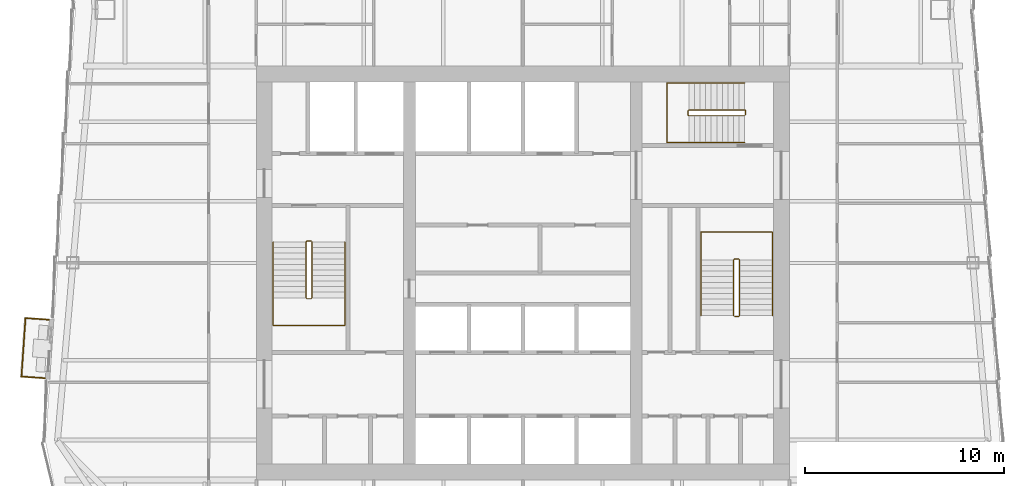
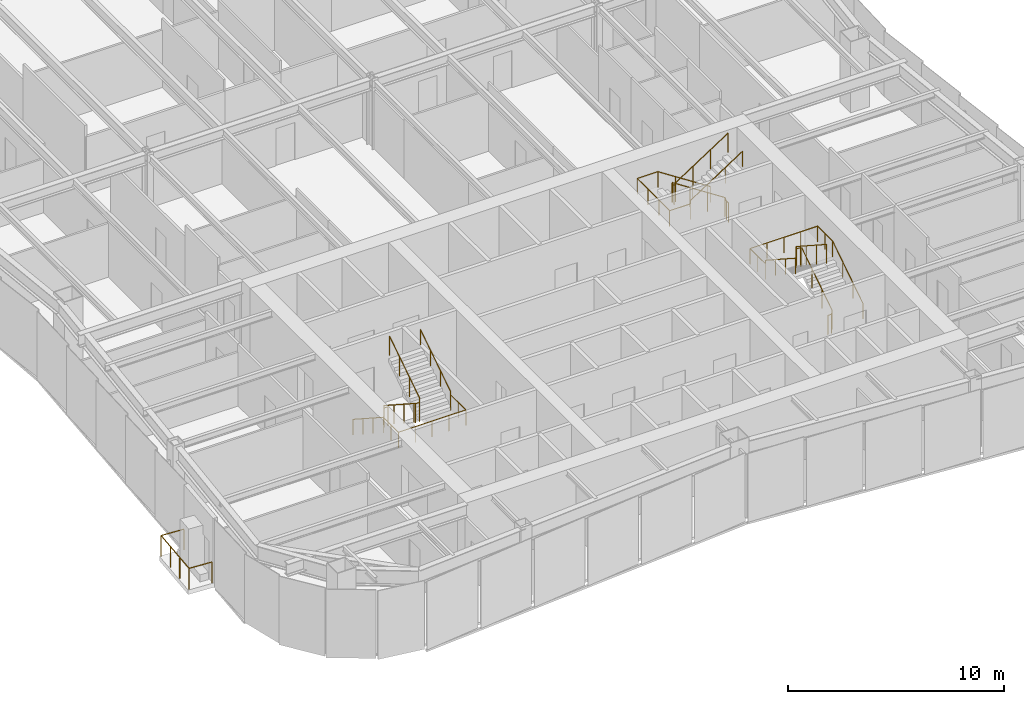
# One storey, part 11 of 12: 7 railings.
"""IFC4 building model written with IfcOpenShell, lengths in metres."""

import ifcopenshell
import ifcopenshell.guid

model = None  # the IFC model being written
_history = None  # IfcOwnerHistory: only IFC2X3 demands one
_inside = {}  # id of a spatial element -> (the spatial element, [elements in it])
_under = {}  # id of a project, library or spatial element -> (it, [spatial elements below it])
_declared = {}  # id of a project -> (the project, [libraries it declares])
_typed = {}  # id of a type object -> (the type object, [elements of that type])
_made_of = {}  # id of a material, layer set ... -> (it, [elements and type objects made of it])


def new_model(schema):
    """Start an empty IFC model of exactly this schema.

    Asked for "IFC4X3", IfcOpenShell would pick the latest addendum, in which some entities
    have other attributes; the version numbers below select the first issue.
    IFC2X3 requires an IfcOwnerHistory on every rooted entity: one is made here for all.
    """
    global model, _history
    if schema == "IFC4X3":
        model = ifcopenshell.file(schema_version=(4, 3, 0, 0))
    else:
        model = ifcopenshell.file(schema=schema)
    _inside.clear()
    _under.clear()
    _declared.clear()
    _typed.clear()
    _made_of.clear()
    _history = None
    if model.schema == "IFC2X3":
        org = make("IfcOrganization", Name="unknown")
        user = make(
            "IfcPersonAndOrganization",
            ThePerson=make("IfcPerson", FamilyName="unknown"),
            TheOrganization=org,
        )
        app = make(
            "IfcApplication",
            ApplicationDeveloper=org,
            Version="unknown",
            ApplicationFullName="unknown",
            ApplicationIdentifier="unknown",
        )
        _history = make(
            "IfcOwnerHistory",
            OwningUser=user,
            OwningApplication=app,
            ChangeAction="ADDED",
            CreationDate=0,
        )
    return model


def make(cls, **values):
    """One entity of the class cls with the attributes given. An attribute that is None is left unset."""
    return model.create_entity(
        cls, **{name: value for name, value in values.items() if value is not None}
    )


def rooted(cls, **values):
    """An entity with a GlobalId (a new one), such as an element, a storey or a relation."""
    return make(cls, GlobalId=ifcopenshell.guid.new(), OwnerHistory=_history, **values)


def si_unit(unit_type, name, prefix=None):
    """IfcSIUnit, for example si_unit("LENGTHUNIT", "METRE", prefix="MILLI")."""
    return make("IfcSIUnit", UnitType=unit_type, Prefix=prefix, Name=name)


def assignment(units):
    """IfcUnitAssignment: the units of a project."""
    return None if units is None else make("IfcUnitAssignment", Units=units)


def point(xyz):
    """IfcCartesianPoint."""
    return None if xyz is None else make("IfcCartesianPoint", Coordinates=xyz)


def direction(xyz):
    """IfcDirection."""
    return None if xyz is None else make("IfcDirection", DirectionRatios=xyz)


def frame(location, z_axis=None, x_axis=None):
    """IfcAxis2Placement3D, a coordinate frame: its origin and axes. An axis left out is left unset."""
    return make(
        "IfcAxis2Placement3D",
        Location=point(location),
        Axis=direction(z_axis),
        RefDirection=direction(x_axis),
    )


def frame_2d(location, x_axis=None):
    """IfcAxis2Placement2D, a coordinate frame in the plane: its origin and x axis."""
    return make(
        "IfcAxis2Placement2D", Location=point(location), RefDirection=direction(x_axis)
    )


def origin():
    """The frame at (0, 0, 0) with its axes left unset."""
    return frame((0.0, 0.0, 0.0))


def origin_2d():
    """The frame at (0, 0) in the plane with its x axis left unset."""
    return frame_2d((0.0, 0.0))


def place(relative_to, where):
    """IfcLocalPlacement: puts the frame where relative to a parent placement (None: the world)."""
    return make(
        "IfcLocalPlacement", PlacementRelTo=relative_to, RelativePlacement=where
    )


def context(
    kind, dimensions, precision=None, world=None, true_north=None, identifier=None
):
    """IfcGeometricRepresentationContext, for example the 3D "Model" context."""
    return make(
        "IfcGeometricRepresentationContext",
        ContextIdentifier=identifier,
        ContextType=kind,
        CoordinateSpaceDimension=dimensions,
        Precision=precision,
        WorldCoordinateSystem=world,
        TrueNorth=true_north,
    )


def subcontext(parent, identifier, kind, view, scale=None):
    """IfcGeometricRepresentationSubContext, for example "Body" below "Model"."""
    return make(
        "IfcGeometricRepresentationSubContext",
        ContextIdentifier=identifier,
        ContextType=kind,
        ParentContext=parent,
        TargetScale=scale,
        TargetView=view,
    )


def project(units=None, contexts=None):
    """IfcProject with its units and contexts."""
    return rooted(
        "IfcProject",
        Name="project",
        RepresentationContexts=contexts,
        UnitsInContext=assignment(units),
    )


def spatial(cls, under=None, at=None, **own):
    """A site, building, storey or space (cls), placed at a placement, below another one or the project."""
    s = rooted(cls, ObjectPlacement=at, **own)
    if under is not None:
        _under.setdefault(under.id(), (under, []))[1].append(s)
    return s


def profile(cls, at=None, kind="AREA", **sizes):
    """A parametric profile (cls). Its sizes go by their IFC names, for example OverallWidth=200.0."""
    return make(cls, ProfileType=kind, Position=at, **sizes)


def circle(**sizes):
    """IfcCircleProfileDef."""
    return profile("IfcCircleProfileDef", **sizes)


def extrude(swept, where, along, depth):
    """IfcExtrudedAreaSolid: the profile swept, set in the frame where, extruded along a direction by depth."""
    return make(
        "IfcExtrudedAreaSolid",
        SweptArea=swept,
        Position=where,
        ExtrudedDirection=direction(along),
        Depth=depth,
    )


def shape(context_of_items, identifier, shape_type, items):
    """IfcShapeRepresentation: the items that make up one representation, for example the "Body"."""
    return make(
        "IfcShapeRepresentation",
        ContextOfItems=context_of_items,
        RepresentationIdentifier=identifier,
        RepresentationType=shape_type,
        Items=items,
    )


def material(Name=None, Category=None):
    """IfcMaterial."""
    return make("IfcMaterial", Name=Name, Category=Category)


def made_of(thing, what):
    """Note that an element or type object is made of a material, layer set ...; save() writes the relation."""
    if what is not None:
        _made_of.setdefault(what.id(), (what, []))[1].append(thing)
    return thing


def type_object(cls, material=None, **own):
    """A type object (cls), such as IfcWallType, which elements share."""
    return made_of(rooted(cls, **own), material)


def element(
    cls,
    number,
    at=None,
    inside=None,
    cuts=None,
    type_object=None,
    material=None,
    context=None,
    identifier="Body",
    shape_type=None,
    held_by="IfcProductDefinitionShape",
    body=None,
    shapes=None,
    **own,
):
    """One element of the class cls, such as IfcWall. Its Tag is "e" and its number.

    at: its placement. inside: the storey or other place that contains it. cuts: it is an
    opening in that element (IfcRelVoidsElement). A single representation is given by context,
    identifier, shape_type and body (its items); several are given by shapes. held_by: the class
    of the entity that holds the representations. save() writes the other relations.
    """
    e = rooted(cls, Tag="e%d" % number, ObjectPlacement=at, **own)
    if body is not None:
        shapes = [shape(context, identifier, shape_type, body)]
    if shapes is not None:
        e.Representation = make(held_by, Representations=shapes)
    if inside is not None:
        _inside.setdefault(inside.id(), (inside, []))[1].append(e)
    if cuts is not None:
        rooted(
            "IfcRelVoidsElement", RelatingBuildingElement=cuts, RelatedOpeningElement=e
        )
    if type_object is not None:
        _typed.setdefault(type_object.id(), (type_object, []))[1].append(e)
    return made_of(e, material)


def aggregate(whole, parts):
    """IfcRelAggregates: a whole, such as a stair, and the parts it consists of."""
    return rooted("IfcRelAggregates", RelatingObject=whole, RelatedObjects=parts)


def save(model, path):
    """Write the relations noted so far, then the file.

    IfcRelAggregates (storeys below a building ...), IfcRelContainedInSpatialStructure (elements
    in a storey), IfcRelDefinesByType, IfcRelAssociatesMaterial and IfcRelDeclares: one each for
    every whole, place, type object, material and project.
    """
    for whole, parts in _under.values():
        aggregate(whole, parts)
    for where, things in _inside.values():
        rooted(
            "IfcRelContainedInSpatialStructure",
            RelatedElements=things,
            RelatingStructure=where,
        )
    for kind, things in _typed.values():
        rooted("IfcRelDefinesByType", RelatedObjects=things, RelatingType=kind)
    for what, things in _made_of.values():
        rooted("IfcRelAssociatesMaterial", RelatedObjects=things, RelatingMaterial=what)
    for by, libraries in _declared.values():
        rooted("IfcRelDeclares", RelatingContext=by, RelatedDefinitions=libraries)
    model.write(path)


model = new_model("IFC4")

# Units and contexts
model_context = context("Model", 3, precision=1e-05, world=origin(), true_north=direction((0.0, 1.0)))
body_context = subcontext(model_context, "Body", "Model", "MODEL_VIEW")
ifc_project = project(units=[si_unit("LENGTHUNIT", "METRE"), si_unit("AREAUNIT", "SQUARE_METRE"), si_unit("VOLUMEUNIT", "CUBIC_METRE"), si_unit("PLANEANGLEUNIT", "RADIAN"), si_unit("MASSUNIT", "GRAM", prefix="KILO")], contexts=[model_context])

# Site, building, storey
site_placement = place(None, origin())
site = spatial("IfcSite", under=ifc_project, at=site_placement, CompositionType="ELEMENT")
building_placement = place(site_placement, origin())
building = spatial("IfcBuilding", under=site, at=building_placement, Name="Verdant Reach Tower", CompositionType="ELEMENT")
storey_placement = place(building_placement, frame((0.0, 0.0, 270.0)))
storey = spatial("IfcBuildingStorey", under=building, at=storey_placement, Name="L62", CompositionType="ELEMENT", Elevation=270.0)

# Railings
ifc_material_1 = material(Name="Stainless steel", Category="steel")
railing_type_1 = type_object("IfcRailingType", Name="CO-GUARD", PredefinedType="GUARDRAIL", material=ifc_material_1)
railing_1_placement = place(storey_placement, frame((-10.64990234375, 29.60009765625, 0.0)))
element("IfcRailing", 1, at=railing_1_placement, inside=storey, type_object=railing_type_1, Name="L62 ST-1 stair guard 1", PredefinedType="GUARDRAIL", context=body_context, shape_type="SweptSolid", body=[
    extrude(circle(Radius=0.02392578125, at=origin_2d()), frame((0.0, 0.0, 1.076171875), z_axis=(-1.0, 0.0, 0.0), x_axis=(0.0, -1.0, 0.0)), (0.0, 0.0, 1.0), 0.2001953125),
    extrude(circle(Radius=0.02392578125, at=origin_2d()), frame((-0.2001953125, 0.0, 1.076171875), z_axis=(-0.25526617399, -0.256517478764, 0.932222056972), x_axis=(0.708833529934, -0.705375805398, 0.0)), (0.0, 0.0, 1.0), 0.195068359375),
    extrude(circle(Radius=0.02392578125, at=origin_2d()), frame((-0.25, -0.050048828125, 1.2578125), z_axis=(0.0, -0.838705829183, 0.544584733623), x_axis=(1.0, 0.0, 0.0)), (0.0, 0.0, 1.0), 3.338623046875),
    extrude(circle(Radius=0.02392578125, at=origin_2d()), frame((-0.25, -2.85009765625, 3.076171875), z_axis=(0.705375805398, -0.708833529934, 0.0), x_axis=(0.708833529934, 0.705375805398, 0.0)), (0.0, 0.0, 1.0), 0.070556640625),
    extrude(circle(Radius=0.02392578125, at=origin_2d()), frame((-0.2001953125, -2.900146484375, 3.076171875), z_axis=(1.0, 0.0, 0.0), x_axis=(0.0, 1.0, 0.0)), (0.0, 0.0, 1.0), 0.2001953125),
    extrude(circle(Radius=0.02392578125, at=origin_2d()), frame((0.0, -2.900146484375, 3.076171875), z_axis=(0.25526617399, 0.256517478764, 0.932222056972), x_axis=(-0.708833529934, 0.705375805398, 0.0)), (0.0, 0.0, 1.0), 0.195068359375),
    extrude(circle(Radius=0.02392578125, at=origin_2d()), frame((0.0498046875, -2.85009765625, 3.2578125), z_axis=(0.0, 0.838705829183, 0.544584733623), x_axis=(-1.0, 0.0, 0.0)), (0.0, 0.0, 1.0), 3.338623046875),
    extrude(circle(Radius=0.02099609375, at=origin_2d()), origin(), (0.0, 0.0, 1.0), 1.052001953125),
    extrude(circle(Radius=0.02099609375, at=origin_2d()), frame((-0.2001953125, 0.0, 0.0)), (0.0, 0.0, 1.0), 1.052001953125),
    extrude(circle(Radius=0.02099609375, at=origin_2d()), frame((-0.25, -0.050048828125, 0.181884765625)), (0.0, 0.0, 1.0), 1.052001953125),
    extrude(circle(Radius=0.02099609375, at=origin_2d()), frame((-0.25, -0.9833984375, 0.787841796875)), (0.0, 0.0, 1.0), 1.052001953125),
    extrude(circle(Radius=0.02099609375, at=origin_2d()), frame((-0.25, -1.916748046875, 1.39404296875)), (0.0, 0.0, 1.0), 1.052001953125),
    extrude(circle(Radius=0.02099609375, at=origin_2d()), frame((-0.25, -2.85009765625, 2.0)), (0.0, 0.0, 1.0), 1.052001953125),
    extrude(circle(Radius=0.02099609375, at=origin_2d()), frame((-0.2001953125, -2.900146484375, 2.0)), (0.0, 0.0, 1.0), 1.052001953125),
    extrude(circle(Radius=0.02099609375, at=origin_2d()), frame((0.0, -2.900146484375, 2.0)), (0.0, 0.0, 1.0), 1.052001953125),
    extrude(circle(Radius=0.02099609375, at=origin_2d()), frame((0.0498046875, -2.85009765625, 2.181884765625)), (0.0, 0.0, 1.0), 1.052001953125),
    extrude(circle(Radius=0.02099609375, at=origin_2d()), frame((0.0498046875, -1.916748046875, 2.787841796875)), (0.0, 0.0, 1.0), 1.052001953125),
    extrude(circle(Radius=0.02099609375, at=origin_2d()), frame((0.0498046875, -0.9833984375, 3.39404296875)), (0.0, 0.0, 1.0), 1.052001953125),
    extrude(circle(Radius=0.02099609375, at=origin_2d()), frame((0.0498046875, -0.050048828125, 4.0)), (0.0, 0.0, 1.0), 1.052001953125),
])
railing_2_placement = place(storey_placement, frame((10.64990234375, 25.800048828125, 0.0)))
element("IfcRailing", 2, at=railing_2_placement, inside=storey, type_object=railing_type_1, Name="L62 ST-2 stair guard 1", PredefinedType="GUARDRAIL", context=body_context, shape_type="SweptSolid", body=[
    extrude(circle(Radius=0.02392578125, at=origin_2d()), frame((0.0, 0.0, 1.076171875), z_axis=(1.0, 0.0, 0.0), x_axis=(0.0, 1.0, 0.0)), (0.0, 0.0, 1.0), 0.2001953125),
    extrude(circle(Radius=0.02392578125, at=origin_2d()), frame((0.2001953125, 0.0, 1.076171875), z_axis=(0.25526617399, 0.256517478764, 0.932222056972), x_axis=(-0.708833529934, 0.705375805398, 0.0)), (0.0, 0.0, 1.0), 0.195068359375),
    extrude(circle(Radius=0.02392578125, at=origin_2d()), frame((0.25, 0.050048828125, 1.2578125), z_axis=(0.0, 0.83868413941, 0.544618136222), x_axis=(-1.0, 0.0, 0.0)), (0.0, 0.0, 1.0), 3.33837890625),
    extrude(circle(Radius=0.02392578125, at=origin_2d()), frame((0.25, 2.849853515625, 3.076171875), z_axis=(-0.705375805398, 0.708833529934, 0.0), x_axis=(-0.708833529934, -0.705375805398, 0.0)), (0.0, 0.0, 1.0), 0.070556640625),
    extrude(circle(Radius=0.02392578125, at=origin_2d()), frame((0.2001953125, 2.89990234375, 3.076171875), z_axis=(-1.0, 0.0, 0.0), x_axis=(0.0, -1.0, 0.0)), (0.0, 0.0, 1.0), 0.2001953125),
    extrude(circle(Radius=0.02392578125, at=origin_2d()), frame((0.0, 2.89990234375, 3.076171875), z_axis=(-0.25526617399, -0.256517478764, 0.932222056972), x_axis=(0.708833529934, -0.705375805398, 0.0)), (0.0, 0.0, 1.0), 0.195068359375),
    extrude(circle(Radius=0.02392578125, at=origin_2d()), frame((-0.0498046875, 2.849853515625, 3.2578125), z_axis=(0.0, -0.83868413941, 0.544618136222), x_axis=(1.0, 0.0, 0.0)), (0.0, 0.0, 1.0), 3.33837890625),
    extrude(circle(Radius=0.02099609375, at=origin_2d()), origin(), (0.0, 0.0, 1.0), 1.052001953125),
    extrude(circle(Radius=0.02099609375, at=origin_2d()), frame((0.2001953125, 0.0, 0.0)), (0.0, 0.0, 1.0), 1.052001953125),
    extrude(circle(Radius=0.02099609375, at=origin_2d()), frame((0.25, 0.050048828125, 0.181884765625)), (0.0, 0.0, 1.0), 1.052001953125),
    extrude(circle(Radius=0.02099609375, at=origin_2d()), frame((0.25, 0.9833984375, 0.787841796875)), (0.0, 0.0, 1.0), 1.052001953125),
    extrude(circle(Radius=0.02099609375, at=origin_2d()), frame((0.25, 1.91650390625, 1.39404296875)), (0.0, 0.0, 1.0), 1.052001953125),
    extrude(circle(Radius=0.02099609375, at=origin_2d()), frame((0.25, 2.849853515625, 2.0)), (0.0, 0.0, 1.0), 1.052001953125),
    extrude(circle(Radius=0.02099609375, at=origin_2d()), frame((0.2001953125, 2.89990234375, 2.0)), (0.0, 0.0, 1.0), 1.052001953125),
    extrude(circle(Radius=0.02099609375, at=origin_2d()), frame((0.0, 2.89990234375, 2.0)), (0.0, 0.0, 1.0), 1.052001953125),
    extrude(circle(Radius=0.02099609375, at=origin_2d()), frame((-0.0498046875, 2.849853515625, 2.181884765625)), (0.0, 0.0, 1.0), 1.052001953125),
    extrude(circle(Radius=0.02099609375, at=origin_2d()), frame((-0.0498046875, 1.91650390625, 2.787841796875)), (0.0, 0.0, 1.0), 1.052001953125),
    extrude(circle(Radius=0.02099609375, at=origin_2d()), frame((-0.0498046875, 0.9833984375, 3.39404296875)), (0.0, 0.0, 1.0), 1.052001953125),
    extrude(circle(Radius=0.02099609375, at=origin_2d()), frame((-0.0498046875, 0.050048828125, 4.0)), (0.0, 0.0, 1.0), 1.052001953125),
])
railing_3_placement = place(storey_placement, frame((11.199951171875, 35.949951171875, 0.0)))
element("IfcRailing", 3, at=railing_3_placement, inside=storey, type_object=railing_type_1, Name="L62 ST-3 stair guard 1", PredefinedType="GUARDRAIL", context=body_context, shape_type="SweptSolid", body=[
    extrude(circle(Radius=0.02392578125, at=origin_2d()), frame((0.0, 0.0, 1.076171875), z_axis=(0.0, 1.0, 0.0), x_axis=(-1.0, 0.0, 0.0)), (0.0, 0.0, 1.0), 0.199951171875),
    extrude(circle(Radius=0.02392578125, at=origin_2d()), frame((0.0, 0.199951171875, 1.076171875), z_axis=(-0.256435381639, 0.256435381639, 0.931923704005), x_axis=(-0.707106781187, -0.707106781187, 0.0)), (0.0, 0.0, 1.0), 0.195068359375),
    extrude(circle(Radius=0.02392578125, at=origin_2d()), frame((-0.050048828125, 0.25, 1.2578125), z_axis=(-0.83868413941, 0.0, 0.544618136222), x_axis=(0.0, -1.0, 0.0)), (0.0, 0.0, 1.0), 3.33837890625),
    extrude(circle(Radius=0.02392578125, at=origin_2d()), frame((-2.849853515625, 0.25, 3.076171875), z_axis=(-0.707106781187, -0.707106781187, 0.0), x_axis=(0.707106781187, -0.707106781187, 0.0)), (0.0, 0.0, 1.0), 0.07080078125),
    extrude(circle(Radius=0.02392578125, at=origin_2d()), frame((-2.89990234375, 0.199951171875, 3.076171875), z_axis=(0.0, -1.0, 0.0), x_axis=(1.0, 0.0, 0.0)), (0.0, 0.0, 1.0), 0.199951171875),
    extrude(circle(Radius=0.02392578125, at=origin_2d()), frame((-2.89990234375, 0.0, 3.076171875), z_axis=(0.256435381639, -0.256435381639, 0.931923704005), x_axis=(0.707106781187, 0.707106781187, 0.0)), (0.0, 0.0, 1.0), 0.195068359375),
    extrude(circle(Radius=0.02392578125, at=origin_2d()), frame((-2.849853515625, -0.050048828125, 3.2578125), z_axis=(0.83868413941, 0.0, 0.544618136222), x_axis=(0.0, 1.0, 0.0)), (0.0, 0.0, 1.0), 3.33837890625),
    extrude(circle(Radius=0.02099609375, at=origin_2d()), origin(), (0.0, 0.0, 1.0), 1.052001953125),
    extrude(circle(Radius=0.02099609375, at=origin_2d()), frame((0.0, 0.199951171875, 0.0)), (0.0, 0.0, 1.0), 1.052001953125),
    extrude(circle(Radius=0.02099609375, at=origin_2d()), frame((-0.050048828125, 0.25, 0.181884765625)), (0.0, 0.0, 1.0), 1.052001953125),
    extrude(circle(Radius=0.02099609375, at=origin_2d()), frame((-0.9833984375, 0.25, 0.787841796875)), (0.0, 0.0, 1.0), 1.052001953125),
    extrude(circle(Radius=0.02099609375, at=origin_2d()), frame((-1.91650390625, 0.25, 1.39404296875)), (0.0, 0.0, 1.0), 1.052001953125),
    extrude(circle(Radius=0.02099609375, at=origin_2d()), frame((-2.849853515625, 0.25, 2.0)), (0.0, 0.0, 1.0), 1.052001953125),
    extrude(circle(Radius=0.02099609375, at=origin_2d()), frame((-2.89990234375, 0.199951171875, 2.0)), (0.0, 0.0, 1.0), 1.052001953125),
    extrude(circle(Radius=0.02099609375, at=origin_2d()), frame((-2.89990234375, 0.0, 2.0)), (0.0, 0.0, 1.0), 1.052001953125),
    extrude(circle(Radius=0.02099609375, at=origin_2d()), frame((-2.849853515625, -0.050048828125, 2.181884765625)), (0.0, 0.0, 1.0), 1.052001953125),
    extrude(circle(Radius=0.02099609375, at=origin_2d()), frame((-1.91650390625, -0.050048828125, 2.787841796875)), (0.0, 0.0, 1.0), 1.052001953125),
    extrude(circle(Radius=0.02099609375, at=origin_2d()), frame((-0.9833984375, -0.050048828125, 3.39404296875)), (0.0, 0.0, 1.0), 1.052001953125),
    extrude(circle(Radius=0.02099609375, at=origin_2d()), frame((-0.050048828125, -0.050048828125, 4.0)), (0.0, 0.0, 1.0), 1.052001953125),
])
railing_type_2 = type_object("IfcRailingType", Name="CO-HANDRAIL", PredefinedType="HANDRAIL", material=ifc_material_1)
railing_4_placement = place(storey_placement, frame((-12.550048828125, 29.550048828125, 0.181884765625)))
element("IfcRailing", 4, at=railing_4_placement, inside=storey, type_object=railing_type_2, Name="L62 ST-1 stair handrail 1", PredefinedType="HANDRAIL", context=body_context, shape_type="SweptSolid", body=[
    extrude(circle(Radius=0.02392578125, at=origin_2d()), frame((0.0, 0.0, 0.8759765625), z_axis=(0.0, -0.838705829183, 0.544584733623), x_axis=(1.0, 0.0, 0.0)), (0.0, 0.0, 1.0), 3.338623046875),
    extrude(circle(Radius=0.02392578125, at=origin_2d()), frame((0.0, -2.800048828125, 2.69384765625), z_axis=(0.0, -1.0, 0.0), x_axis=(1.0, 0.0, 0.0)), (0.0, 0.0, 1.0), 1.39990234375),
    extrude(circle(Radius=0.02392578125, at=origin_2d()), frame((0.0, -4.199951171875, 2.69384765625), z_axis=(1.0, 0.0, 0.0), x_axis=(0.0, 1.0, 0.0)), (0.0, 0.0, 1.0), 3.60009765625),
    extrude(circle(Radius=0.02392578125, at=origin_2d()), frame((3.60009765625, -4.199951171875, 2.69384765625), z_axis=(0.0, 1.0, 0.0), x_axis=(-1.0, 0.0, 0.0)), (0.0, 0.0, 1.0), 1.39990234375),
    extrude(circle(Radius=0.02392578125, at=origin_2d()), frame((3.60009765625, -2.800048828125, 2.69384765625), z_axis=(0.0, 0.0, 1.0), x_axis=(1.0, 0.0, 0.0)), (0.0, 0.0, 1.0), 0.181884765625),
    extrude(circle(Radius=0.02392578125, at=origin_2d()), frame((3.60009765625, -2.800048828125, 2.8759765625), z_axis=(0.0, 0.838705829183, 0.544584733623), x_axis=(-1.0, 0.0, 0.0)), (0.0, 0.0, 1.0), 3.338623046875),
    extrude(circle(Radius=0.02099609375, at=origin_2d()), origin(), (0.0, 0.0, 1.0), 0.851806640625),
    extrude(circle(Radius=0.02099609375, at=origin_2d()), frame((0.0, -0.933349609375, 0.60595703125)), (0.0, 0.0, 1.0), 0.851806640625),
    extrude(circle(Radius=0.02099609375, at=origin_2d()), frame((0.0, -1.86669921875, 1.212158203125)), (0.0, 0.0, 1.0), 0.851806640625),
    extrude(circle(Radius=0.02099609375, at=origin_2d()), frame((0.0, -2.800048828125, 1.818115234375)), (0.0, 0.0, 1.0), 0.851806640625),
    extrude(circle(Radius=0.02099609375, at=origin_2d()), frame((0.0, -3.5, 1.818115234375)), (0.0, 0.0, 1.0), 0.851806640625),
    extrude(circle(Radius=0.02099609375, at=origin_2d()), frame((0.0, -4.199951171875, 1.818115234375)), (0.0, 0.0, 1.0), 0.851806640625),
    extrude(circle(Radius=0.02099609375, at=origin_2d()), frame((0.89990234375, -4.199951171875, 1.818115234375)), (0.0, 0.0, 1.0), 0.851806640625),
    extrude(circle(Radius=0.02099609375, at=origin_2d()), frame((1.800048828125, -4.199951171875, 1.818115234375)), (0.0, 0.0, 1.0), 0.851806640625),
    extrude(circle(Radius=0.02099609375, at=origin_2d()), frame((2.7001953125, -4.199951171875, 1.818115234375)), (0.0, 0.0, 1.0), 0.851806640625),
    extrude(circle(Radius=0.02099609375, at=origin_2d()), frame((3.60009765625, -4.199951171875, 1.818115234375)), (0.0, 0.0, 1.0), 0.851806640625),
    extrude(circle(Radius=0.02099609375, at=origin_2d()), frame((3.60009765625, -3.5, 1.818115234375)), (0.0, 0.0, 1.0), 0.851806640625),
    extrude(circle(Radius=0.02099609375, at=origin_2d()), frame((3.60009765625, -2.800048828125, 1.818115234375)), (0.0, 0.0, 1.0), 0.851806640625),
    extrude(circle(Radius=0.02099609375, at=origin_2d()), frame((3.60009765625, -2.800048828125, 2.0)), (0.0, 0.0, 1.0), 0.851806640625),
    extrude(circle(Radius=0.02099609375, at=origin_2d()), frame((3.60009765625, -1.86669921875, 2.60595703125)), (0.0, 0.0, 1.0), 0.851806640625),
    extrude(circle(Radius=0.02099609375, at=origin_2d()), frame((3.60009765625, -0.933349609375, 3.212158203125)), (0.0, 0.0, 1.0), 0.851806640625),
    extrude(circle(Radius=0.02099609375, at=origin_2d()), frame((3.60009765625, 0.0, 3.818115234375)), (0.0, 0.0, 1.0), 0.851806640625),
])
railing_5_placement = place(storey_placement, frame((12.550048828125, 25.85009765625, 0.181884765625)))
element("IfcRailing", 5, at=railing_5_placement, inside=storey, type_object=railing_type_2, Name="L62 ST-2 stair handrail 1", PredefinedType="HANDRAIL", context=body_context, shape_type="SweptSolid", body=[
    extrude(circle(Radius=0.02392578125, at=origin_2d()), frame((0.0, 0.0, 0.8759765625), z_axis=(0.0, 0.83868413941, 0.544618136222), x_axis=(-1.0, 0.0, 0.0)), (0.0, 0.0, 1.0), 3.33837890625),
    extrude(circle(Radius=0.02392578125, at=origin_2d()), frame((0.0, 2.7998046875, 2.69384765625), z_axis=(0.0, 1.0, 0.0), x_axis=(-1.0, 0.0, 0.0)), (0.0, 0.0, 1.0), 1.400146484375),
    extrude(circle(Radius=0.02392578125, at=origin_2d()), frame((0.0, 4.199951171875, 2.69384765625), z_axis=(-1.0, 0.0, 0.0), x_axis=(0.0, -1.0, 0.0)), (0.0, 0.0, 1.0), 3.60009765625),
    extrude(circle(Radius=0.02392578125, at=origin_2d()), frame((-3.60009765625, 4.199951171875, 2.69384765625), z_axis=(0.0, -1.0, 0.0), x_axis=(1.0, 0.0, 0.0)), (0.0, 0.0, 1.0), 1.400146484375),
    extrude(circle(Radius=0.02392578125, at=origin_2d()), frame((-3.60009765625, 2.7998046875, 2.69384765625), z_axis=(0.0, 0.0, 1.0), x_axis=(1.0, 0.0, 0.0)), (0.0, 0.0, 1.0), 0.181884765625),
    extrude(circle(Radius=0.02392578125, at=origin_2d()), frame((-3.60009765625, 2.7998046875, 2.8759765625), z_axis=(0.0, -0.83868413941, 0.544618136222), x_axis=(1.0, 0.0, 0.0)), (0.0, 0.0, 1.0), 3.33837890625),
    extrude(circle(Radius=0.02099609375, at=origin_2d()), origin(), (0.0, 0.0, 1.0), 0.851806640625),
    extrude(circle(Radius=0.02099609375, at=origin_2d()), frame((0.0, 0.933349609375, 0.60595703125)), (0.0, 0.0, 1.0), 0.851806640625),
    extrude(circle(Radius=0.02099609375, at=origin_2d()), frame((0.0, 1.866455078125, 1.212158203125)), (0.0, 0.0, 1.0), 0.851806640625),
    extrude(circle(Radius=0.02099609375, at=origin_2d()), frame((0.0, 2.7998046875, 1.818115234375)), (0.0, 0.0, 1.0), 0.851806640625),
    extrude(circle(Radius=0.02099609375, at=origin_2d()), frame((0.0, 3.5, 1.818115234375)), (0.0, 0.0, 1.0), 0.851806640625),
    extrude(circle(Radius=0.02099609375, at=origin_2d()), frame((0.0, 4.199951171875, 1.818115234375)), (0.0, 0.0, 1.0), 0.851806640625),
    extrude(circle(Radius=0.02099609375, at=origin_2d()), frame((-0.89990234375, 4.199951171875, 1.818115234375)), (0.0, 0.0, 1.0), 0.851806640625),
    extrude(circle(Radius=0.02099609375, at=origin_2d()), frame((-1.800048828125, 4.199951171875, 1.818115234375)), (0.0, 0.0, 1.0), 0.851806640625),
    extrude(circle(Radius=0.02099609375, at=origin_2d()), frame((-2.7001953125, 4.199951171875, 1.818115234375)), (0.0, 0.0, 1.0), 0.851806640625),
    extrude(circle(Radius=0.02099609375, at=origin_2d()), frame((-3.60009765625, 4.199951171875, 1.818115234375)), (0.0, 0.0, 1.0), 0.851806640625),
    extrude(circle(Radius=0.02099609375, at=origin_2d()), frame((-3.60009765625, 3.5, 1.818115234375)), (0.0, 0.0, 1.0), 0.851806640625),
    extrude(circle(Radius=0.02099609375, at=origin_2d()), frame((-3.60009765625, 2.7998046875, 1.818115234375)), (0.0, 0.0, 1.0), 0.851806640625),
    extrude(circle(Radius=0.02099609375, at=origin_2d()), frame((-3.60009765625, 2.7998046875, 2.0)), (0.0, 0.0, 1.0), 0.851806640625),
    extrude(circle(Radius=0.02099609375, at=origin_2d()), frame((-3.60009765625, 1.866455078125, 2.60595703125)), (0.0, 0.0, 1.0), 0.851806640625),
    extrude(circle(Radius=0.02099609375, at=origin_2d()), frame((-3.60009765625, 0.933349609375, 3.212158203125)), (0.0, 0.0, 1.0), 0.851806640625),
    extrude(circle(Radius=0.02099609375, at=origin_2d()), frame((-3.60009765625, 0.0, 3.818115234375)), (0.0, 0.0, 1.0), 0.851806640625),
])
railing_6_placement = place(storey_placement, frame((11.14990234375, 37.550048828125, 0.181884765625)))
element("IfcRailing", 6, at=railing_6_placement, inside=storey, type_object=railing_type_2, Name="L62 ST-3 stair handrail 1", PredefinedType="HANDRAIL", context=body_context, shape_type="SweptSolid", body=[
    extrude(circle(Radius=0.02392578125, at=origin_2d()), frame((0.0, 0.0, 0.8759765625), z_axis=(-0.83868413941, 0.0, 0.544618136222), x_axis=(0.0, -1.0, 0.0)), (0.0, 0.0, 1.0), 3.33837890625),
    extrude(circle(Radius=0.02392578125, at=origin_2d()), frame((-2.7998046875, 0.0, 2.69384765625), z_axis=(-1.0, 0.0, 0.0), x_axis=(0.0, -1.0, 0.0)), (0.0, 0.0, 1.0), 1.10009765625),
    extrude(circle(Radius=0.02392578125, at=origin_2d()), frame((-3.89990234375, 0.0, 2.69384765625), z_axis=(0.0, -1.0, 0.0), x_axis=(1.0, 0.0, 0.0)), (0.0, 0.0, 1.0), 3.0),
    extrude(circle(Radius=0.02392578125, at=origin_2d()), frame((-3.89990234375, -3.0, 2.69384765625), z_axis=(1.0, 0.0, 0.0), x_axis=(0.0, 1.0, 0.0)), (0.0, 0.0, 1.0), 1.10009765625),
    extrude(circle(Radius=0.02392578125, at=origin_2d()), frame((-2.7998046875, -3.0, 2.69384765625), z_axis=(0.0, 0.0, 1.0), x_axis=(1.0, 0.0, 0.0)), (0.0, 0.0, 1.0), 0.181884765625),
    extrude(circle(Radius=0.02392578125, at=origin_2d()), frame((-2.7998046875, -3.0, 2.8759765625), z_axis=(0.83868413941, 0.0, 0.544618136222), x_axis=(0.0, 1.0, 0.0)), (0.0, 0.0, 1.0), 3.33837890625),
    extrude(circle(Radius=0.02099609375, at=origin_2d()), origin(), (0.0, 0.0, 1.0), 0.851806640625),
    extrude(circle(Radius=0.02099609375, at=origin_2d()), frame((-0.933349609375, 0.0, 0.60595703125)), (0.0, 0.0, 1.0), 0.851806640625),
    extrude(circle(Radius=0.02099609375, at=origin_2d()), frame((-1.866455078125, 0.0, 1.212158203125)), (0.0, 0.0, 1.0), 0.851806640625),
    extrude(circle(Radius=0.02099609375, at=origin_2d()), frame((-2.7998046875, 0.0, 1.818115234375)), (0.0, 0.0, 1.0), 0.851806640625),
    extrude(circle(Radius=0.02099609375, at=origin_2d()), frame((-3.89990234375, 0.0, 1.818115234375)), (0.0, 0.0, 1.0), 0.851806640625),
    extrude(circle(Radius=0.02099609375, at=origin_2d()), frame((-3.89990234375, -1.0, 1.818115234375)), (0.0, 0.0, 1.0), 0.851806640625),
    extrude(circle(Radius=0.02099609375, at=origin_2d()), frame((-3.89990234375, -2.0, 1.818115234375)), (0.0, 0.0, 1.0), 0.851806640625),
    extrude(circle(Radius=0.02099609375, at=origin_2d()), frame((-3.89990234375, -3.0, 1.818115234375)), (0.0, 0.0, 1.0), 0.851806640625),
    extrude(circle(Radius=0.02099609375, at=origin_2d()), frame((-2.7998046875, -3.0, 1.818115234375)), (0.0, 0.0, 1.0), 0.851806640625),
    extrude(circle(Radius=0.02099609375, at=origin_2d()), frame((-2.7998046875, -3.0, 2.0)), (0.0, 0.0, 1.0), 0.851806640625),
    extrude(circle(Radius=0.02099609375, at=origin_2d()), frame((-1.866455078125, -3.0, 2.60595703125)), (0.0, 0.0, 1.0), 0.851806640625),
    extrude(circle(Radius=0.02099609375, at=origin_2d()), frame((-0.933349609375, -3.0, 3.212158203125)), (0.0, 0.0, 1.0), 0.851806640625),
    extrude(circle(Radius=0.02099609375, at=origin_2d()), frame((0.0, -3.0, 3.818115234375)), (0.0, 0.0, 1.0), 0.851806640625),
])
ifc_material_2 = material(Name="Stainless steel and laminated glass balustrade", Category="steel")
railing_type_3 = type_object("IfcRailingType", Name="EN-RAILING BALCONY", PredefinedType="GUARDRAIL", material=ifc_material_2)
railing_7_placement = place(storey_placement, frame((-23.83056640625, 25.64794921875, 0.0)))
element("IfcRailing", 7, at=railing_7_placement, inside=storey, type_object=railing_type_3, Name="Balcony guard 1, L62", PredefinedType="GUARDRAIL", context=body_context, shape_type="SweptSolid", body=[
    extrude(circle(Radius=0.02490234375, at=origin_2d()), frame((0.0, 0.0, 1.1748046875), z_axis=(-0.997636711247, 0.068709478032, 0.0), x_axis=(-0.068709478032, -0.997636711247, 0.0)), (0.0, 0.0, 1.0), 1.176025390625),
    extrude(circle(Radius=0.02490234375, at=origin_2d()), frame((-1.17333984375, 0.080810546875, 1.1748046875), z_axis=(-0.068773654488, -0.997632289197, 0.0), x_axis=(0.997632289197, -0.068773654488, 0.0)), (0.0, 0.0, 1.0), 2.946533203125),
    extrude(circle(Radius=0.02490234375, at=origin_2d()), frame((-1.3759765625, -2.858642578125, 1.1748046875), z_axis=(0.997635730952, -0.068723710082, 0.0), x_axis=(0.068723710082, 0.997635730952, 0.0)), (0.0, 0.0, 1.0), 1.17578125),
    extrude(circle(Radius=0.02490234375, at=origin_2d()), origin(), (0.0, 0.0, 1.0), 1.14990234375),
    extrude(circle(Radius=0.02490234375, at=origin_2d()), frame((-1.17333984375, 0.080810546875, 0.0)), (0.0, 0.0, 1.0), 1.14990234375),
    extrude(circle(Radius=0.02490234375, at=origin_2d()), frame((-1.240966796875, -0.89892578125, 0.0)), (0.0, 0.0, 1.0), 1.14990234375),
    extrude(circle(Radius=0.02490234375, at=origin_2d()), frame((-1.308349609375, -1.87890625, 0.0)), (0.0, 0.0, 1.0), 1.14990234375),
    extrude(circle(Radius=0.02490234375, at=origin_2d()), frame((-1.3759765625, -2.858642578125, 0.0)), (0.0, 0.0, 1.0), 1.14990234375),
    extrude(circle(Radius=0.02490234375, at=origin_2d()), frame((-0.202880859375, -2.939453125, 0.0)), (0.0, 0.0, 1.0), 1.14990234375),
])

save(model, "model.ifc")
